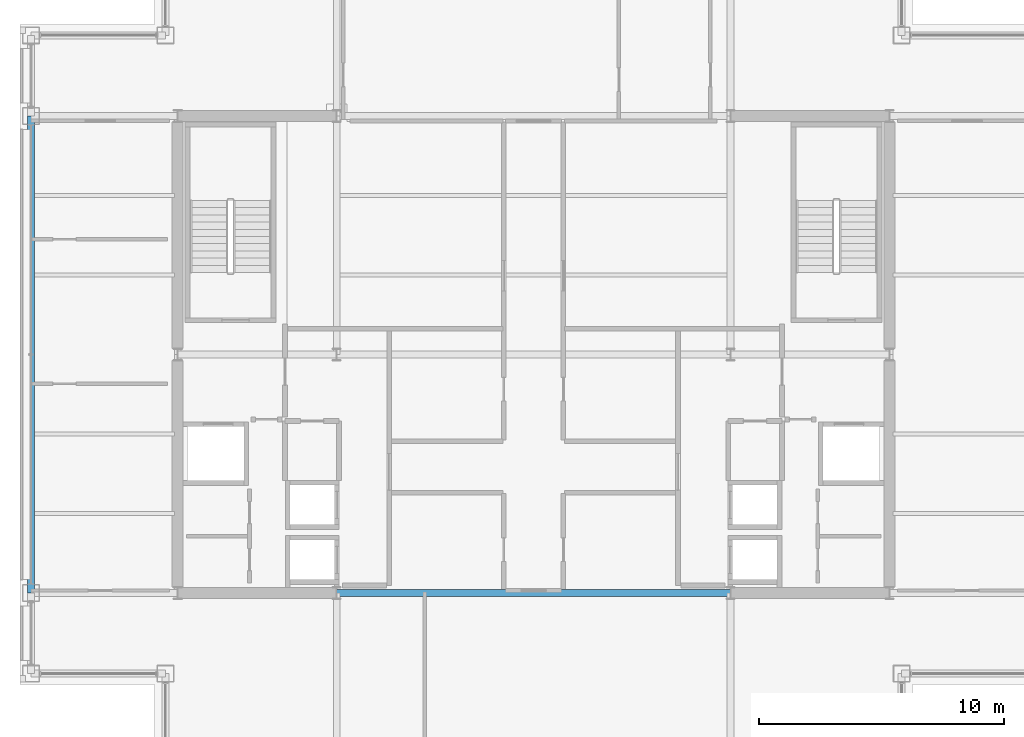
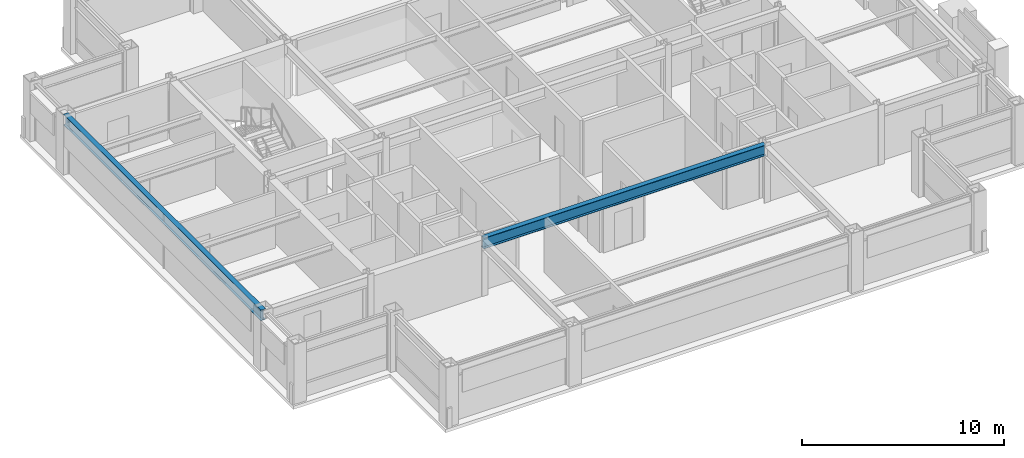
# One storey, part 7 of 28: 2 beams.
"""IFC4 building model written with IfcOpenShell, lengths in metres."""

from ifc_helpers import new_model, si_unit, direction, frame, origin, origin_2d, place, context, subcontext, project, spatial, i_section, extrude, material, material_profile, profile_set, type_object, element, save


model = new_model("IFC4")

# Units and contexts
model_context = context("Model", 3, precision=1e-05, world=origin(), true_north=direction((0.0, 1.0)))
body_context = subcontext(model_context, "Body", "Model", "MODEL_VIEW")
ifc_project = project(units=[si_unit("LENGTHUNIT", "METRE"), si_unit("AREAUNIT", "SQUARE_METRE"), si_unit("VOLUMEUNIT", "CUBIC_METRE"), si_unit("PLANEANGLEUNIT", "RADIAN"), si_unit("MASSUNIT", "GRAM", prefix="KILO")], contexts=[model_context])

# Site, building, storey
site_placement = place(None, origin())
site = spatial("IfcSite", under=ifc_project, at=site_placement, CompositionType="ELEMENT")
building_placement = place(site_placement, origin())
building = spatial("IfcBuilding", under=site, at=building_placement, Name="Brelmoor Portico Tower", CompositionType="ELEMENT")
storey_placement = place(building_placement, frame((0.0, 0.0, 191.10009765625)))
storey = spatial("IfcBuildingStorey", under=building, at=storey_placement, Name="L50", CompositionType="ELEMENT", Elevation=191.10009765625)

# Beams
ifc_material = material(Name="Steel Q355B", Category="steel")
ifc_material_profile_1 = material_profile(ifc_material, i_section(OverallWidth=0.280029296875, OverallDepth=0.64990234375, WebThickness=0.012939453125, FlangeThickness=0.02197265625, at=origin_2d()), Name="HN 650x280x13x22")
ifc_profile_set_1 = profile_set([ifc_material_profile_1], Name="Steel Q355B")
beam_type_1 = type_object("IfcBeamType", Name="BM-PG-650", PredefinedType="BEAM", material=ifc_profile_set_1)
beam_1_placement = place(storey_placement, frame((-8.050048828125, -9.75, 3.074951171875), z_axis=(1.0, 0.0, 0.0), x_axis=(0.0, 1.0, 0.0)))
element("IfcBeam", 1, at=beam_1_placement, inside=storey, type_object=beam_type_1, Name="L50 Primary Floor Girder PG-13", PredefinedType="BEAM", context=body_context, shape_type="SweptSolid", body=[
    extrude(i_section(OverallWidth=0.280029296875, OverallDepth=0.64990234375, WebThickness=0.012939453125, FlangeThickness=0.02197265625, at=origin_2d()), origin(), (0.0, 0.0, 1.0), 16.10009765625),
])
ifc_material_profile_2 = material_profile(ifc_material, i_section(OverallWidth=0.280029296875, OverallDepth=0.64990234375, WebThickness=0.012939453125, FlangeThickness=0.02197265625, at=origin_2d()), Name="HN 650x280x13x22")
ifc_profile_set_2 = profile_set([ifc_material_profile_2], Name="Steel Q355B")
beam_type_2 = type_object("IfcBeamType", Name="BM-SP-650", PredefinedType="SPANDREL", material=ifc_profile_set_2)
beam_2_placement = place(storey_placement, frame((-20.550048828125, -9.75, 3.074951171875), z_axis=(0.0, 1.0, 0.0), x_axis=(-1.0, 0.0, 0.0)))
element("IfcBeam", 2, at=beam_2_placement, inside=storey, type_object=beam_type_2, Name="L50 Perimeter Spandrel Beam SP-12", PredefinedType="SPANDREL", context=body_context, shape_type="SweptSolid", body=[
    extrude(i_section(OverallWidth=0.280029296875, OverallDepth=0.64990234375, WebThickness=0.012939453125, FlangeThickness=0.02197265625, at=origin_2d()), origin(), (0.0, 0.0, 1.0), 19.5),
])

save(model, "model.ifc")
